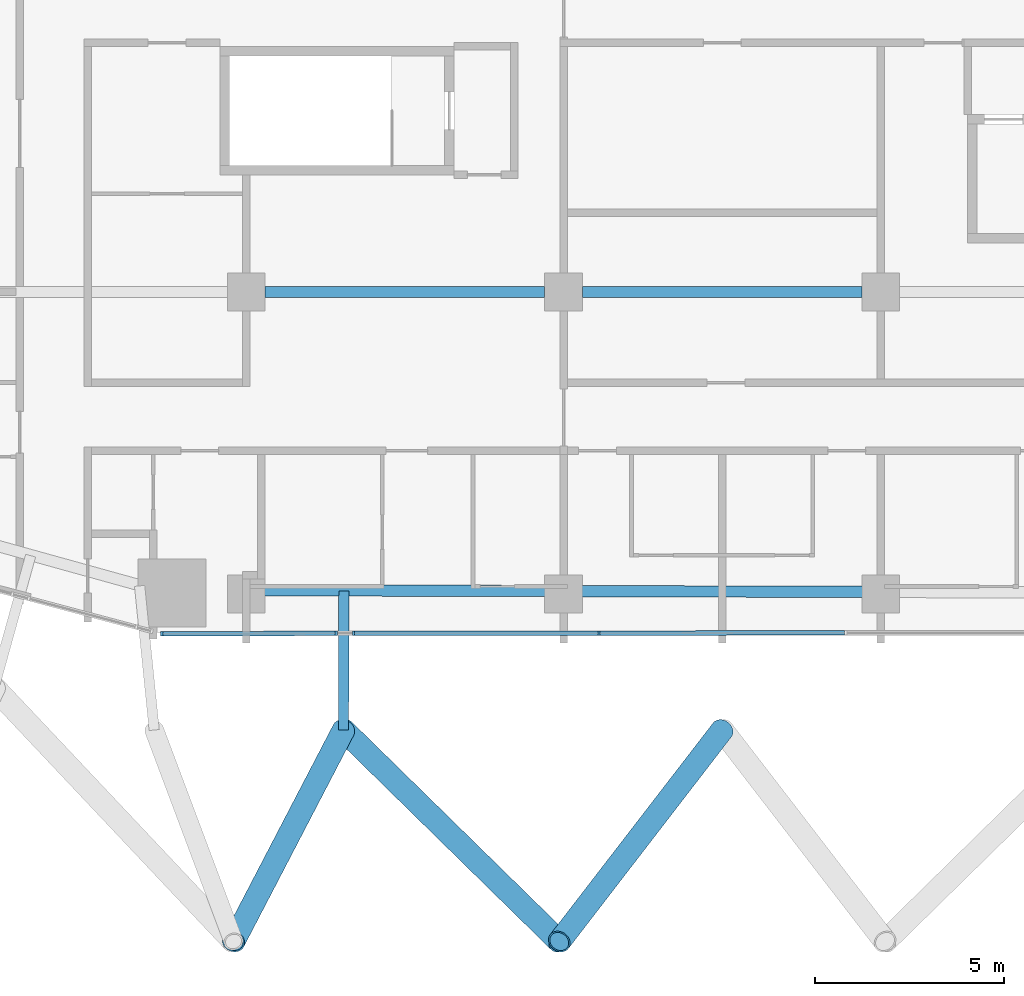
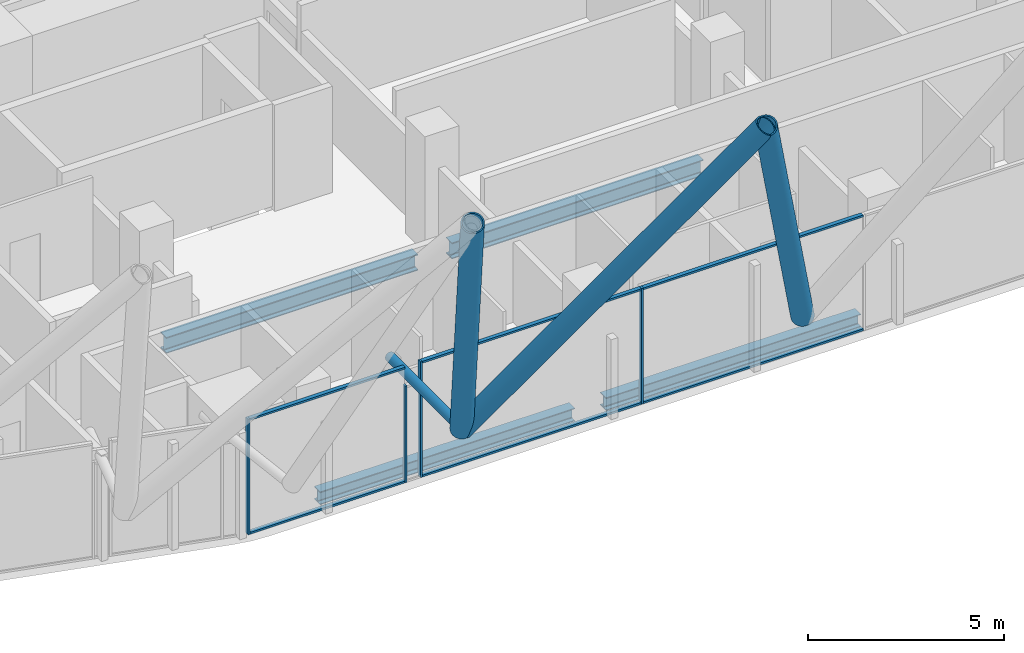
# One storey, part 3 of 36: 14 members, 4 beams, 3 elements without a shape of their own.
"""IFC4 building model written with IfcOpenShell, lengths in metres."""

from ifc_helpers import new_model, si_unit, direction, frame, origin, origin_2d, place, context, subcontext, project, spatial, rectangle, hollow_circle, i_section, extrude, material, layer, layer_set, material_profile, profile_set, type_object, element, aggregate, save


model = new_model("IFC4")

# Units and contexts
model_context = context("Model", 3, precision=1e-05, world=origin(), true_north=direction((0.0, 1.0)))
body_context = subcontext(model_context, "Body", "Model", "MODEL_VIEW")
ifc_project = project(units=[si_unit("LENGTHUNIT", "METRE"), si_unit("AREAUNIT", "SQUARE_METRE"), si_unit("VOLUMEUNIT", "CUBIC_METRE"), si_unit("PLANEANGLEUNIT", "RADIAN"), si_unit("MASSUNIT", "GRAM", prefix="KILO")], contexts=[model_context])

# Site, building, storey
site_placement = place(None, origin())
site = spatial("IfcSite", under=ifc_project, at=site_placement, CompositionType="ELEMENT")
building_placement = place(site_placement, origin())
building = spatial("IfcBuilding", under=site, at=building_placement, Name="Marenta Gate Hotel Tower", CompositionType="ELEMENT")
storey_placement = place(building_placement, frame((0.0, 0.0, 83.300048828125)))
storey = spatial("IfcBuildingStorey", under=building, at=storey_placement, Name="L19", CompositionType="ELEMENT", Elevation=83.300048828125)

# Members
ifc_material_1 = material(Name="Steel S355J2W", Category="steel")
ifc_material_profile_1 = material_profile(ifc_material_1, hollow_circle(Radius=0.304931640625, WallThickness=0.0400390625, at=origin_2d()), Name="CHS 610x40")
ifc_profile_set_1 = profile_set([ifc_material_profile_1], Name="Steel S355J2W")
member_type_1 = type_object("IfcMemberType", Name="Diagrid diagonal T1 CHS 610x40", PredefinedType="BRACE", material=ifc_profile_set_1)
member_1_placement = place(storey_placement, frame((0.0, -20.0, 3.139892578125), z_axis=(-0.334145444557, -0.433863251853, 0.836725463084), x_axis=(0.792266902372, -0.610174692532, 0.0)))
element("IfcMember", 1, at=member_1_placement, inside=storey, type_object=member_type_1, Name="L19-DG-18", PredefinedType="BRACE", context=body_context, shape_type="SweptSolid", body=[
    extrude(hollow_circle(Radius=0.304931640625, WallThickness=0.0400390625, at=origin_2d()), origin(), (0.0, 0.0, 1.0), 12.907470703125),
])
member_2_placement = place(storey_placement, frame((-10.02587890625, -20.0, 3.139892578125), z_axis=(0.425059598243, -0.416667395919, 0.803562455021), x_axis=(0.700021979774, 0.714121297703, 0.0)))
element("IfcMember", 2, at=member_2_placement, inside=storey, type_object=member_type_1, Name="L19-DG-19", PredefinedType="BRACE", context=body_context, shape_type="SweptSolid", body=[
    extrude(hollow_circle(Radius=0.304931640625, WallThickness=0.0400390625, at=origin_2d()), origin(), (0.0, 0.0, 1.0), 13.440185546875),
])
member_3_placement = place(storey_placement, frame((-10.02587890625, -20.0, 3.139892578125), z_axis=(-0.232869426707, -0.447666687045, 0.863346029941), x_axis=(0.887149669045, -0.461481814066, 0.0)))
element("IfcMember", 3, at=member_3_placement, inside=storey, type_object=member_type_1, Name="L19-DG-20", PredefinedType="BRACE", context=body_context, shape_type="SweptSolid", body=[
    extrude(hollow_circle(Radius=0.304931640625, WallThickness=0.0400390625, at=origin_2d()), origin(), (0.0, 0.0, 1.0), 12.509521484375),
])

# Beams
ifc_material_2 = material(Name="Steel S355", Category="steel")
ifc_material_profile_2 = material_profile(ifc_material_2, i_section(OverallWidth=0.300048828125, OverallDepth=0.39990234375, WebThickness=0.013427734375, FlangeThickness=0.02392578125, FilletRadius=0.027099609375, at=origin_2d()), Name="HEB 400")
ifc_profile_set_2 = profile_set([ifc_material_profile_2], Name="Steel S355")
beam_type_1 = type_object("IfcBeamType", Name="Edge beam HEB 400", PredefinedType="SPANDREL", material=ifc_profile_set_2)
for number, where, z_axis, x_axis, name in (
    (4, (3.739990234375, -16.3427734375, -0.4599609375), (-0.99999624158, 0.002741683018, 0.0), (-0.002741683018, -0.99999624158, 0.0), "L19-EB-33"),
    (5, (-4.659912109375, -16.31982421875, -0.4599609375), (-0.999996151562, 0.002774321851, 0.0), (-0.002774321851, -0.999996151562, 0.0), "L19-EB-34"),
):
    element("IfcBeam", number, at=place(storey_placement, frame(where, z_axis=z_axis, x_axis=x_axis)), inside=storey, type_object=beam_type_1, Name=name, PredefinedType="SPANDREL", context=body_context, shape_type="SweptSolid", body=[
        extrude(i_section(OverallWidth=0.300048828125, OverallDepth=0.39990234375, WebThickness=0.013427734375, FlangeThickness=0.02392578125, FilletRadius=0.027099609375, at=origin_2d()), origin(), (0.0, 0.0, 1.0), 7.47998046875),
    ])

# Member
ifc_material_3 = material(Name="Steel S355J2W", Category="steel")
ifc_material_profile_3 = material_profile(ifc_material_3, hollow_circle(Radius=0.136474609375, WallThickness=0.012451171875, at=origin_2d()), Name="CHS 273x12.5")
ifc_profile_set_3 = profile_set([ifc_material_profile_3], Name="Steel S355J2W")
member_type_2 = type_object("IfcMemberType", Name="Floor tie CHS 273x12.5", PredefinedType="STRUT", material=ifc_profile_set_3)
member_4_placement = place(storey_placement, frame((-10.02587890625, -20.0, 3.139892578125), z_axis=(0.002720085472, 0.999996300561, 0.0), x_axis=(-0.999996300561, 0.002720085472, 0.0)))
element("IfcMember", 6, at=member_4_placement, inside=storey, type_object=member_type_2, Name="L19-DR-15", PredefinedType="STRUT", context=body_context, shape_type="SweptSolid", body=[
    extrude(hollow_circle(Radius=0.136474609375, WallThickness=0.012451171875, at=origin_2d()), origin(), (0.0, 0.0, 1.0), 3.679931640625),
])

# Beams
ifc_material_4 = material(Name="Steel S355", Category="steel")
ifc_material_profile_4 = material_profile(ifc_material_4, i_section(OverallWidth=0.300048828125, OverallDepth=0.5, WebThickness=0.014404296875, FlangeThickness=0.028076171875, FilletRadius=0.027099609375, at=origin_2d()), Name="HEB 500")
ifc_profile_set_4 = profile_set([ifc_material_profile_4], Name="Steel S355")
beam_type_2 = type_object("IfcBeamType", Name="Girder HEB 500", PredefinedType="BEAM", material=ifc_profile_set_4)
beam_1_placement = place(storey_placement, frame((-12.10009765625, -8.39990234375, -0.510009765625), z_axis=(1.0, 0.0, 0.0), x_axis=(0.0, 1.0, 0.0)))
element("IfcBeam", 7, at=beam_1_placement, inside=storey, type_object=beam_type_2, Name="L19-GD-3", PredefinedType="BEAM", context=body_context, shape_type="SweptSolid", body=[
    extrude(i_section(OverallWidth=0.300048828125, OverallDepth=0.5, WebThickness=0.014404296875, FlangeThickness=0.028076171875, FilletRadius=0.027099609375, at=origin_2d()), origin(), (0.0, 0.0, 1.0), 7.400146484375),
])
beam_2_placement = place(storey_placement, frame((-3.699951171875, -8.39990234375, -0.510009765625), z_axis=(1.0, 0.0, 0.0), x_axis=(0.0, 1.0, 0.0)))
element("IfcBeam", 8, at=beam_2_placement, inside=storey, type_object=beam_type_2, Name="L19-GD-4", PredefinedType="BEAM", context=body_context, shape_type="SweptSolid", body=[
    extrude(i_section(OverallWidth=0.300048828125, OverallDepth=0.5, WebThickness=0.014404296875, FlangeThickness=0.028076171875, FilletRadius=0.027099609375, at=origin_2d()), origin(), (0.0, 0.0, 1.0), 7.39990234375),
])

# Curtain wall, member
ifc_material_5 = material(Name="Tinted insulated glass in bronze anodised frame", Category="glass")
ifc_layer = layer(ifc_material_5, 0.1201171875)
ifc_layer_set = layer_set([ifc_layer], Name="Tinted insulated glass in bronze anodised frame")
curtain_wall_type = type_object("IfcCurtainWallType", Name="Tower unitised curtain wall CW1", PredefinedType="NOTDEFINED", material=ifc_layer_set)
curtain_wall_1_placement = place(storey_placement, origin())
curtain_wall_1 = element("IfcCurtainWall", 9, at=curtain_wall_1_placement, inside=storey, type_object=curtain_wall_type, Name="CW1 run G18", PredefinedType="NOTDEFINED")
ifc_material_6 = material(Name="Bronze anodised aluminium", Category="aluminium")
ifc_material_profile_5 = material_profile(ifc_material_6, rectangle(XDim=0.1201171875, YDim=0.06005859375, at=origin_2d()), Name="Mullion CW1 60x120 bronze anodised aluminium")
ifc_profile_set_5 = profile_set([ifc_material_profile_5], Name="Bronze anodised aluminium")
member_type_3 = type_object("IfcMemberType", Name="Mullion CW1 60x120 bronze anodised aluminium", PredefinedType="MULLION", material=ifc_profile_set_5)
member_5_placement = place(storey_placement, frame((-14.840576171875, -17.44775390625, 0.0), z_axis=(0.0, 0.0, 1.0), x_axis=(-0.001167541525, 0.999999318423, 0.0)))
member_5 = element("IfcMember", 10, at=member_5_placement, type_object=member_type_3, Name="CW1 mullion 1", PredefinedType="MULLION", context=body_context, shape_type="SweptSolid", body=[
    extrude(rectangle(XDim=0.1201171875, YDim=0.06005859375, at=origin_2d()), origin(), (0.0, 0.0, 1.0), 3.599853515625),
])

curtain_wall_2_placement = place(storey_placement, origin())
curtain_wall_2 = element("IfcCurtainWall", 11, at=curtain_wall_2_placement, inside=storey, type_object=curtain_wall_type, Name="CW1 run G19", PredefinedType="NOTDEFINED")
member_6_placement = place(storey_placement, frame((-10.215576171875, -17.4423828125, 0.0), z_axis=(0.0, 0.0, 1.0), x_axis=(-0.001103752086, 0.999999390865, 0.0)))
member_6 = element("IfcMember", 12, at=member_6_placement, type_object=member_type_3, Name="CW1 mullion 1", PredefinedType="MULLION", context=body_context, shape_type="SweptSolid", body=[
    extrude(rectangle(XDim=0.1201171875, YDim=0.06005859375, at=origin_2d()), origin(), (0.0, 0.0, 1.0), 3.00048828125),
])
aggregate(curtain_wall_2, [member_6])

# Curtain wall, members
curtain_wall_3_placement = place(storey_placement, origin())
curtain_wall_3 = element("IfcCurtainWall", 13, at=curtain_wall_3_placement, inside=storey, type_object=curtain_wall_type, Name="CW1 run G20", PredefinedType="NOTDEFINED")
member_7_placement = place(storey_placement, frame((-9.762451171875, -17.44189453125, 0.0), z_axis=(0.0, 0.0, 1.0), x_axis=(-0.001163317936, 0.999999323345, 0.0)))
member_7 = element("IfcMember", 14, at=member_7_placement, type_object=member_type_3, Name="CW1 mullion 1", PredefinedType="MULLION", context=body_context, shape_type="SweptSolid", body=[
    extrude(rectangle(XDim=0.1201171875, YDim=0.06005859375, at=origin_2d()), origin(), (0.0, 0.0, 1.0), 3.599853515625),
])
member_8_placement = place(storey_placement, frame((-3.259521484375, -17.434326171875, 0.0), z_axis=(0.0, 0.0, 1.0), x_axis=(-0.001163317936, 0.999999323345, 0.0)))
member_8 = element("IfcMember", 15, at=member_8_placement, type_object=member_type_3, Name="CW1 mullion 2", PredefinedType="MULLION", context=body_context, shape_type="SweptSolid", body=[
    extrude(rectangle(XDim=0.1201171875, YDim=0.06005859375, at=origin_2d()), origin(), (0.0, 0.0, 1.0), 3.599853515625),
])

# Member
ifc_material_7 = material(Name="Bronze anodised aluminium", Category="aluminium")
ifc_material_profile_6 = material_profile(ifc_material_7, rectangle(XDim=0.1201171875, YDim=0.06005859375, at=origin_2d()), Name="Transom CW1 60x120 bronze anodised aluminium")
ifc_profile_set_6 = profile_set([ifc_material_profile_6], Name="Bronze anodised aluminium")
member_type_4 = type_object("IfcMemberType", Name="Transom CW1 60x120 bronze anodised aluminium", PredefinedType="USERDEFINED", material=ifc_profile_set_6)
member_9_placement = place(storey_placement, frame((-14.810546875, -17.44775390625, 0.030029296875), z_axis=(0.999999307811, 0.001176595613, 0.0), x_axis=(-0.001176595613, 0.999999307811, 0.0)))
member_9 = element("IfcMember", 16, at=member_9_placement, type_object=member_type_4, Name="CW1 transom 1.1", ObjectType="TRANSOM", PredefinedType="USERDEFINED", context=body_context, shape_type="SweptSolid", body=[
    extrude(rectangle(XDim=0.1201171875, YDim=0.06005859375, at=origin_2d()), origin(), (0.0, 0.0, 1.0), 4.56494140625),
])

member_10_placement = place(storey_placement, frame((-14.810546875, -17.44775390625, 3.570068359375), z_axis=(0.999999307811, 0.001176595613, 0.0), x_axis=(-0.001176595613, 0.999999307811, 0.0)))
member_10 = element("IfcMember", 17, at=member_10_placement, type_object=member_type_4, Name="CW1 transom 1.2", ObjectType="TRANSOM", PredefinedType="USERDEFINED", context=body_context, shape_type="SweptSolid", body=[
    extrude(rectangle(XDim=0.1201171875, YDim=0.06005859375, at=origin_2d()), origin(), (0.0, 0.0, 1.0), 4.56494140625),
])

aggregate(curtain_wall_1, [member_5, member_9, member_10])

member_11_placement = place(storey_placement, frame((-9.732421875, -17.44189453125, 0.030029296875), z_axis=(0.999999310055, 0.001174686571, 0.0), x_axis=(-0.001174686571, 0.999999310055, 0.0)))
member_11 = element("IfcMember", 18, at=member_11_placement, type_object=member_type_4, Name="CW1 transom 1.1", ObjectType="TRANSOM", PredefinedType="USERDEFINED", context=body_context, shape_type="SweptSolid", body=[
    extrude(rectangle(XDim=0.1201171875, YDim=0.06005859375, at=origin_2d()), origin(), (0.0, 0.0, 1.0), 6.44287109375),
])

member_12_placement = place(storey_placement, frame((-9.732421875, -17.44189453125, 3.570068359375), z_axis=(0.999999310055, 0.001174686571, 0.0), x_axis=(-0.001174686571, 0.999999310055, 0.0)))
member_12 = element("IfcMember", 19, at=member_12_placement, type_object=member_type_4, Name="CW1 transom 1.2", ObjectType="TRANSOM", PredefinedType="USERDEFINED", context=body_context, shape_type="SweptSolid", body=[
    extrude(rectangle(XDim=0.1201171875, YDim=0.06005859375, at=origin_2d()), origin(), (0.0, 0.0, 1.0), 6.44287109375),
])

member_13_placement = place(storey_placement, frame((-3.2294921875, -17.434326171875, 0.030029296875), z_axis=(0.999999316494, 0.001169192834, 0.0), x_axis=(-0.001169192834, 0.999999316494, 0.0)))
member_13 = element("IfcMember", 20, at=member_13_placement, type_object=member_type_4, Name="CW1 transom 2.1", ObjectType="TRANSOM", PredefinedType="USERDEFINED", context=body_context, shape_type="SweptSolid", body=[
    extrude(rectangle(XDim=0.1201171875, YDim=0.06005859375, at=origin_2d()), origin(), (0.0, 0.0, 1.0), 6.47314453125),
])

member_14_placement = place(storey_placement, frame((-3.2294921875, -17.434326171875, 3.570068359375), z_axis=(0.999999316494, 0.001169192834, 0.0), x_axis=(-0.001169192834, 0.999999316494, 0.0)))
member_14 = element("IfcMember", 21, at=member_14_placement, type_object=member_type_4, Name="CW1 transom 2.2", ObjectType="TRANSOM", PredefinedType="USERDEFINED", context=body_context, shape_type="SweptSolid", body=[
    extrude(rectangle(XDim=0.1201171875, YDim=0.06005859375, at=origin_2d()), origin(), (0.0, 0.0, 1.0), 6.47314453125),
])

aggregate(curtain_wall_3, [member_7, member_8, member_11, member_12, member_13, member_14])

save(model, "model.ifc")
